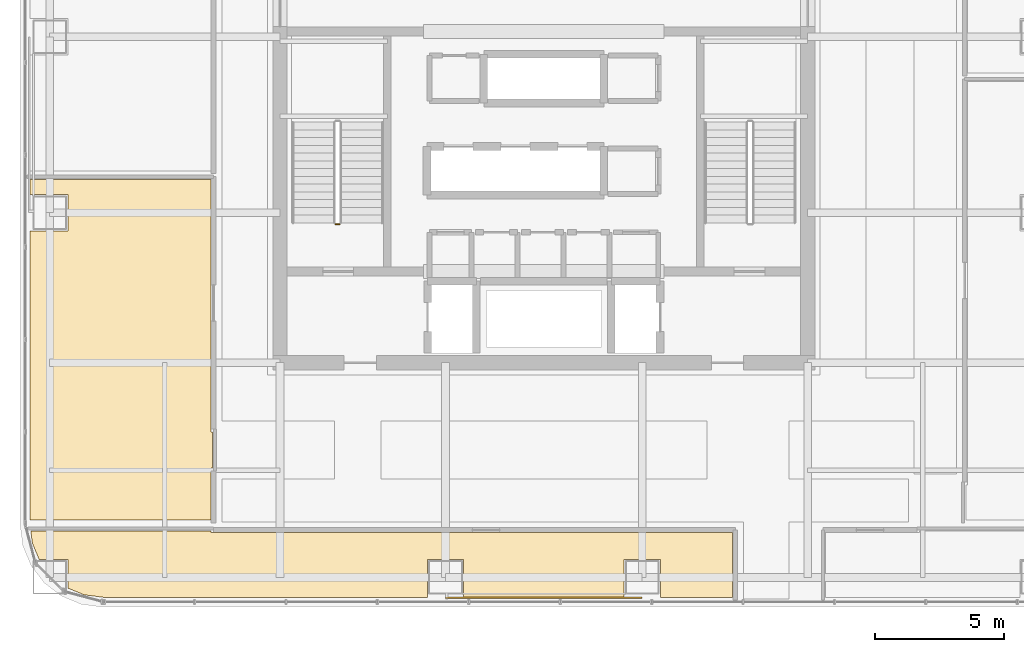
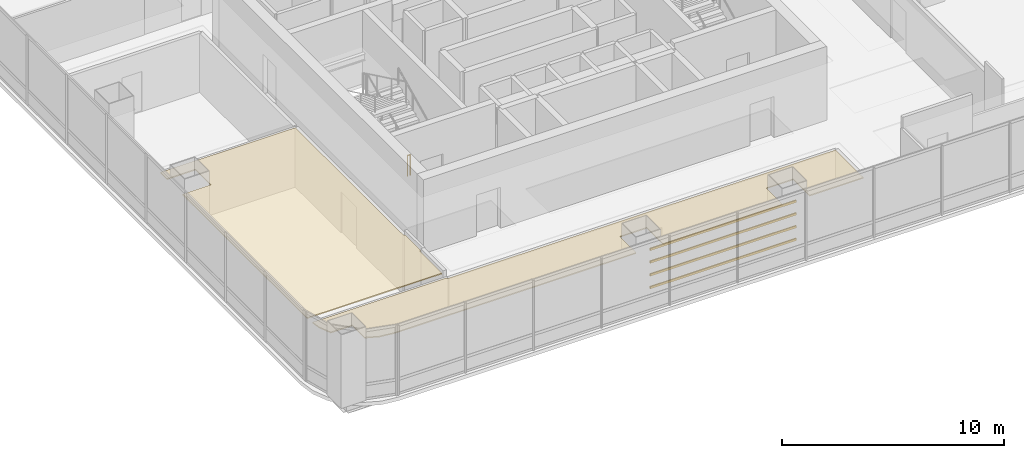
# One storey, part 37 of 40: 4 shading devices, 2 coverings, 1 railing.
"""IFC4 building model written with IfcOpenShell, lengths in metres."""

from ifc_helpers import new_model, si_unit, direction, frame, origin, origin_2d, place, context, subcontext, project, spatial, polyline, hollow_rectangle, circle, outline, extrude, material, layer, layer_set, material_profile, profile_set, type_object, element, save


model = new_model("IFC4")

# Units and contexts
model_context = context("Model", 3, precision=1e-05, world=origin(), true_north=direction((0.0, 1.0)))
body_context = subcontext(model_context, "Body", "Model", "MODEL_VIEW")
ifc_project = project(units=[si_unit("LENGTHUNIT", "METRE"), si_unit("AREAUNIT", "SQUARE_METRE"), si_unit("VOLUMEUNIT", "CUBIC_METRE"), si_unit("PLANEANGLEUNIT", "RADIAN"), si_unit("MASSUNIT", "GRAM", prefix="KILO")], contexts=[model_context])

# Site, building, storey
site_placement = place(None, origin())
site = spatial("IfcSite", under=ifc_project, at=site_placement, CompositionType="ELEMENT")
building_placement = place(site_placement, origin())
building = spatial("IfcBuilding", under=site, at=building_placement, Name="Punatoya Terracotta Tower", CompositionType="ELEMENT")
storey_placement = place(building_placement, frame((0.0, 0.0, 271.64990234375)))
storey = spatial("IfcBuildingStorey", under=building, at=storey_placement, Name="L64", CompositionType="ELEMENT", Elevation=271.64990234375)

# Coverings
ifc_material_1 = material(Name="Acoustic Mineral Fibre Ceiling")
ifc_layer = layer(ifc_material_1, 0.06005859375)
ifc_layer_set = layer_set([ifc_layer], Name="Acoustic Mineral Fibre Ceiling")
covering_type = type_object("IfcCoveringType", Name="COV-CEIL-60", PredefinedType="CEILING", material=ifc_layer_set)
covering_1_placement = place(storey_placement, frame((0.0, 0.0, 3.239990234375)))
element("IfcCovering", 1, at=covering_1_placement, inside=storey, type_object=covering_type, Name="L64 Open-Plan Staff Wellness Studio Acoustic Ceiling", PredefinedType="CEILING", context=body_context, shape_type="SweptSolid", body=[
    extrude(outline(polyline([(-18.39990234375, -17.91357421875), (-17.779052734375, -18.1708984375), (-17.025146484375, -18.27001953125), (-4.5, -18.27001953125), (-4.5, -16.800048828125), (-3.10009765625, -16.800048828125), (-3.10009765625, -18.27001953125), (3.10009765625, -18.27001953125), (3.10009765625, -16.800048828125), (4.5, -16.800048828125), (4.5, -18.27001953125), (7.300048828125, -18.27001953125), (7.300048828125, -15.77001953125), (-12.8701171875, -15.77001953125), (-12.8701171875, -15.7099609375), (-19.83251953125, -15.7099609375), (-19.770751953125, -16.178955078125), (-19.513427734375, -16.800048828125), (-18.39990234375, -16.800048828125), (-18.39990234375, -17.91357421875)])), origin(), (0.0, 0.0, 1.0), 0.06005859375),
])
covering_2_placement = place(storey_placement, frame((0.0, 0.0, 3.239990234375)))
element("IfcCovering", 2, at=covering_2_placement, inside=storey, type_object=covering_type, Name="L64 Open-Plan Cultural History Classroom Acoustic Ceiling", PredefinedType="CEILING", context=body_context, shape_type="SweptSolid", body=[
    extrude(outline(polyline([(-19.8701171875, -4.10009765625), (-19.8701171875, -15.2900390625), (-12.8701171875, -15.2900390625), (-12.8701171875, -13.280029296875), (-12.81005859375, -13.280029296875), (-12.81005859375, -11.8701171875), (-12.8701171875, -11.8701171875), (-12.8701171875, -2.110107421875), (-19.8701171875, -2.110107421875), (-19.8701171875, -2.699951171875), (-18.39990234375, -2.699951171875), (-18.39990234375, -4.10009765625), (-19.8701171875, -4.10009765625)])), origin(), (0.0, 0.0, 1.0), 0.06005859375),
])

# Railing
ifc_material_2 = material(Name="Steel S355", Category="steel")
railing_type = type_object("IfcRailingType", Name="RLG-GRD-1150", PredefinedType="GUARDRAIL", material=ifc_material_2)
railing_placement = place(storey_placement, frame((-7.89990234375, -3.85009765625, 0.0)))
element("IfcRailing", 3, at=railing_placement, inside=storey, type_object=railing_type, Name="L64 ST-1 stair guard 4", PredefinedType="GUARDRAIL", context=body_context, shape_type="SweptSolid", body=[
    extrude(circle(Radius=0.02392578125, at=origin_2d()), frame((0.0, 0.0, 1.1259765625), z_axis=(-1.0, 0.0, 0.0), x_axis=(0.0, -1.0, 0.0)), (0.0, 0.0, 1.0), 0.150146484375),
    extrude(circle(Radius=0.02099609375, at=origin_2d()), origin(), (0.0, 0.0, 1.0), 1.101806640625),
    extrude(circle(Radius=0.02099609375, at=origin_2d()), frame((-0.150146484375, 0.0, 0.0)), (0.0, 0.0, 1.0), 1.101806640625),
])

# Shading devices
ifc_material_3 = material(Name="Architectural Fired Terracotta", Category="masonry")
ifc_material_profile = material_profile(ifc_material_3, hollow_rectangle(XDim=0.06494140625, YDim=0.1201171875, WallThickness=0.014892578125, at=origin_2d()))
ifc_profile_set = profile_set([ifc_material_profile], Name="Architectural Fired Terracotta")
shading_device_type = type_object("IfcShadingDeviceType", Name="SHD-BAG-120", PredefinedType="USERDEFINED", material=ifc_profile_set)
for number, where, z_axis, x_axis, name in (
    (4, (-3.800048828125, -18.2900390625, 1.150146484375), (1.0, 0.0, 0.0), (0.0, 1.0, 0.0), "L64 Fired Terracotta Baguette Louvre BAG-L64-S-01"),
    (5, (-3.800048828125, -18.2900390625, 1.85009765625), (1.0, 0.0, 0.0), (0.0, 1.0, 0.0), "L64 Fired Terracotta Baguette Louvre BAG-L64-S-02"),
    (6, (-3.800048828125, -18.2900390625, 2.550048828125), (1.0, 0.0, 0.0), (0.0, 1.0, 0.0), "L64 Fired Terracotta Baguette Louvre BAG-L64-S-03"),
    (7, (-3.800048828125, -18.2900390625, 3.25), (1.0, 0.0, 0.0), (0.0, 1.0, 0.0), "L64 Fired Terracotta Baguette Louvre BAG-L64-S-04"),
):
    element("IfcShadingDevice", number, at=place(storey_placement, frame(where, z_axis=z_axis, x_axis=x_axis)), inside=storey, type_object=shading_device_type, Name=name, ObjectType="BAGUETTE", PredefinedType="USERDEFINED", context=body_context, shape_type="SweptSolid", body=[
        extrude(hollow_rectangle(XDim=0.06494140625, YDim=0.1201171875, WallThickness=0.014892578125, at=origin_2d()), origin(), (0.0, 0.0, 1.0), 7.60009765625),
    ])

save(model, "model.ifc")
